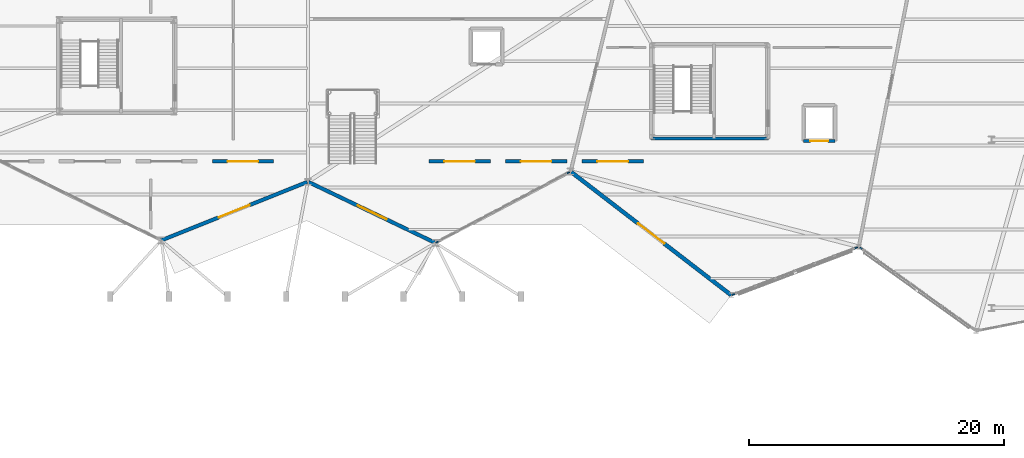
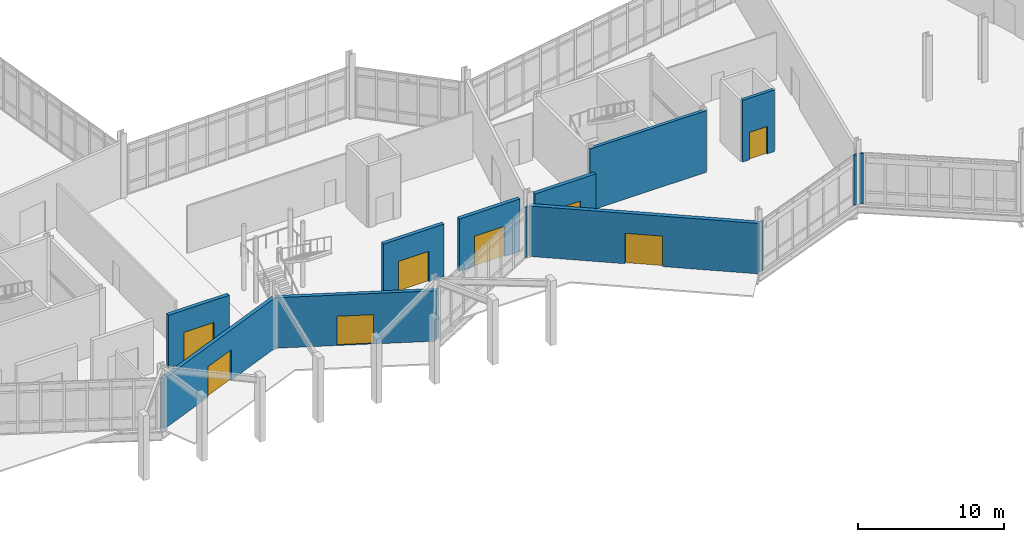
# One storey, part 89 of 113: 14 walls, 8 doors, 8 openings.
"""IFC4 building model written with IfcOpenShell, lengths in metres."""

from ifc_helpers import new_model, si_unit, direction, frame, frame_2d, origin, place, context, subcontext, project, spatial, rectangle, extrude, material, layer, layer_set, type_object, element, fill, save


model = new_model("IFC4")

# Units and contexts
model_context = context("Model", 3, precision=1e-05, world=origin(), true_north=direction((0.0, 1.0)))
body_context = subcontext(model_context, "Body", "Model", "MODEL_VIEW")
ifc_project = project(units=[si_unit("LENGTHUNIT", "METRE"), si_unit("AREAUNIT", "SQUARE_METRE"), si_unit("VOLUMEUNIT", "CUBIC_METRE"), si_unit("PLANEANGLEUNIT", "RADIAN"), si_unit("MASSUNIT", "GRAM", prefix="KILO")], contexts=[model_context])

# Site, building, storey
site_placement = place(None, origin())
site = spatial("IfcSite", under=ifc_project, at=site_placement, CompositionType="ELEMENT")
building_placement = place(site_placement, origin())
building = spatial("IfcBuilding", under=site, at=building_placement, Name="Tameran Prism Museum", CompositionType="ELEMENT")
storey_placement = place(building_placement, origin())
storey = spatial("IfcBuildingStorey", under=building, at=storey_placement, Name="L00", CompositionType="ELEMENT", Elevation=0.0)

# Walls
ifc_material_1 = material(Name="Precast Concrete N40 (40 MPa)", Category="concrete")
ifc_layer_1 = layer(ifc_material_1, 0.094970703125)
ifc_layer_set_1 = layer_set([ifc_layer_1])
wall_type_1 = type_object("IfcWallType", Name="EW-CLOS-095", PredefinedType="SOLIDWALL", material=ifc_layer_set_1)
wall_1_placement = place(storey_placement, frame((98.010009765625, 28.152099609375, 0.0), z_axis=(0.0, 0.0, 1.0), x_axis=(-0.885021600209, -0.465549962049, 0.0)))
element("IfcWall", 1, at=wall_1_placement, inside=storey, type_object=wall_type_1, Name="Facade Corner Closure EW-0093", PredefinedType="SOLIDWALL", context=body_context, shape_type="SweptSolid", body=[
    extrude(rectangle(XDim=0.307373046875, YDim=0.094970703125, at=frame_2d((0.15380859375, 0.0))), origin(), (0.0, 0.0, 1.0), 4.219970703125),
])
wall_2_placement = place(storey_placement, frame((87.80908203125, 22.762939453125, 0.0), z_axis=(0.0, 0.0, 1.0), x_axis=(-0.885348834604, -0.464927350308, 0.0)))
element("IfcWall", 2, at=wall_2_placement, inside=storey, type_object=wall_type_1, Name="Facade Corner Closure EW-0094", PredefinedType="SOLIDWALL", context=body_context, shape_type="SweptSolid", body=[
    extrude(rectangle(XDim=0.30712890625, YDim=0.094970703125, at=frame_2d((0.153564453125, 0.0))), origin(), (0.0, 0.0, 1.0), 4.219970703125),
])
wall_3_placement = place(storey_placement, frame((120.60498046875, 22.263916015625, 0.0), z_axis=(0.0, 0.0, 1.0), x_axis=(-0.935413842844, -0.353554723651, 0.0)))
element("IfcWall", 3, at=wall_3_placement, inside=storey, type_object=wall_type_1, Name="Facade Corner Closure EW-0105", PredefinedType="SOLIDWALL", context=body_context, shape_type="SweptSolid", body=[
    extrude(rectangle(XDim=0.307861328125, YDim=0.094970703125, at=frame_2d((0.15380859375, 0.0))), origin(), (0.0, 0.0, 1.0), 4.219970703125),
])
for number, where, z_axis, x_axis, name in (
    (4, (111.027099609375, 18.6240234375, 0.0), (0.0, 0.0, 1.0), (-0.935151489811, -0.354248064361, 0.0), "Facade Corner Closure EW-0106"),
    (5, (121.032958984375, 22.06103515625, 0.0), (0.0, 0.0, 1.0), (-0.811639565077, 0.584158554162, 0.0), "Facade Corner Closure EW-0111"),
):
    element("IfcWall", number, at=place(storey_placement, frame(where, z_axis=z_axis, x_axis=x_axis)), inside=storey, type_object=wall_type_1, Name=name, PredefinedType="SOLIDWALL", context=body_context, shape_type="SweptSolid", body=[
        extrude(rectangle(XDim=0.30810546875, YDim=0.094970703125, at=frame_2d((0.154052734375, 0.0))), origin(), (0.0, 0.0, 1.0), 4.219970703125),
    ])

# Wall, opening, door
ifc_material_2 = material(Name="Precast Concrete N40 (40 MPa)", Category="concrete")
ifc_layer_2 = layer(ifc_material_2, 0.2900390625)
ifc_layer_set_2 = layer_set([ifc_layer_2])
wall_type_2 = type_object("IfcWallType", Name="EW-FOY-290", PredefinedType="SOLIDWALL", material=ifc_layer_set_2)
wall_4_placement = place(storey_placement, frame((77.444091796875, 27.3779296875, 0.0), z_axis=(0.0, 0.0, 1.0), x_axis=(-0.928469860605, -0.371407751599, 0.0)))
wall_4 = element("IfcWall", 6, at=wall_4_placement, inside=storey, type_object=wall_type_2, Name="Exterior Fluted Precast Wall EW-0089", PredefinedType="SOLIDWALL", context=body_context, shape_type="SweptSolid", body=[
    extrude(rectangle(XDim=12.32568359375, YDim=0.2900390625, at=frame_2d((6.162841796875, 0.0))), origin(), (0.0, 0.0, 1.0), 4.219970703125),
])
opening_1_placement = place(wall_4_placement, frame((4.863037109375, 0.0, 0.0)))
opening_1 = element("IfcOpeningElement", 7, at=opening_1_placement, cuts=wall_4, Name="Opening ED-05", PredefinedType="OPENING", context=body_context, shape_type="SweptSolid", body=[
    extrude(rectangle(XDim=2.60009765625, YDim=2.550048828125, at=frame_2d((1.300048828125, 1.27490234375))), frame((0.0, 0.155029296875, 0.0), z_axis=(0.0, -1.0, 0.0), x_axis=(1.0, 0.0, 0.0)), (0.0, 0.0, 1.0), 0.31005859375),
])
ifc_material_3 = material(Name="Cyclone-Rated Anodised Aluminium 6063-T6 and Laminated Glass", Category="aluminium")
door_type_1 = type_object("IfcDoorType", Name="DR-EXT-240", OperationType="DOUBLE_DOOR_SINGLE_SWING", PredefinedType="DOOR", material=ifc_material_3)
door_1_placement = place(opening_1_placement, origin())
door_1 = element("IfcDoor", 8, at=door_1_placement, inside=storey, type_object=door_type_1, Name="Final Exit Double Door ED-05", OperationType="DOUBLE_DOOR_SINGLE_SWING", OverallHeight=2.550048828125, OverallWidth=2.60009765625, PredefinedType="DOOR", context=body_context, shape_type="SweptSolid", body=[
    extrude(rectangle(XDim=2.60009765625, YDim=2.550048828125, at=frame_2d((1.300048828125, 1.27490234375))), frame((0.0, 0.02490234375, 0.0), z_axis=(0.0, -1.0, 0.0), x_axis=(1.0, 0.0, 0.0)), (0.0, 0.0, 1.0), 0.050048828125),
])
fill(opening_1, door_1)

wall_5_placement = place(storey_placement, frame((87.5, 22.60009765625, 0.0), z_axis=(0.0, 0.0, 1.0), x_axis=(-0.901529273173, 0.432718117961, 0.0)))
wall_5 = element("IfcWall", 9, at=wall_5_placement, inside=storey, type_object=wall_type_2, Name="Exterior Fluted Precast Wall EW-0092", PredefinedType="SOLIDWALL", context=body_context, shape_type="SweptSolid", body=[
    extrude(rectangle(XDim=11.032470703125, YDim=0.2900390625, at=frame_2d((5.51611328125, 0.0))), origin(), (0.0, 0.0, 1.0), 4.219970703125),
])
opening_2_placement = place(wall_5_placement, frame((4.26611328125, 0.0, 0.0)))
opening_2 = element("IfcOpeningElement", 10, at=opening_2_placement, cuts=wall_5, Name="Opening ED-06", PredefinedType="OPENING", context=body_context, shape_type="SweptSolid", body=[
    extrude(rectangle(XDim=2.5, YDim=2.449951171875, at=frame_2d((1.25, 1.22509765625))), frame((0.0, 0.155029296875, 0.0), z_axis=(0.0, -1.0, 0.0), x_axis=(1.0, 0.0, 0.0)), (0.0, 0.0, 1.0), 0.31005859375),
])
ifc_material_4 = material(Name="Cyclone-Rated Anodised Aluminium 6063-T6 and Laminated Glass", Category="aluminium")
door_type_2 = type_object("IfcDoorType", Name="DR-EXT-220", OperationType="DOUBLE_DOOR_SINGLE_SWING", PredefinedType="DOOR", material=ifc_material_4)
door_2_placement = place(opening_2_placement, origin())
door_2 = element("IfcDoor", 11, at=door_2_placement, inside=storey, type_object=door_type_2, Name="Final Exit Double Door ED-06", OperationType="DOUBLE_DOOR_SINGLE_SWING", OverallHeight=2.449951171875, OverallWidth=2.5, PredefinedType="DOOR", context=body_context, shape_type="SweptSolid", body=[
    extrude(rectangle(XDim=2.5, YDim=2.449951171875, at=frame_2d((1.25, 1.22509765625))), frame((0.0, 0.02490234375, 0.0), z_axis=(0.0, -1.0, 0.0), x_axis=(1.0, 0.0, 0.0)), (0.0, 0.0, 1.0), 0.050048828125),
])
fill(opening_2, door_2)

wall_6_placement = place(storey_placement, frame((74.800048828125, 29.0, 0.0), z_axis=(0.0, 0.0, 1.0), x_axis=(-1.0, 0.0, 0.0)))
wall_6 = element("IfcWall", 12, at=wall_6_placement, inside=storey, type_object=wall_type_2, Name="Entrance Portal Wall EW-0475", PredefinedType="SOLIDWALL", context=body_context, shape_type="SweptSolid", body=[
    extrude(rectangle(XDim=4.800048828125, YDim=0.2900390625, at=frame_2d((2.39990234375, 0.0))), origin(), (0.0, 0.0, 1.0), 4.39990234375),
])
opening_3_placement = place(wall_6_placement, frame((1.199951171875, 0.0, 0.0)))
opening_3 = element("IfcOpeningElement", 13, at=opening_3_placement, cuts=wall_6, Name="Opening ED-28", PredefinedType="OPENING", context=body_context, shape_type="SweptSolid", body=[
    extrude(rectangle(XDim=2.39990234375, YDim=2.550048828125, at=frame_2d((1.199951171875, 1.27490234375))), frame((0.0, 0.155029296875, 0.0), z_axis=(0.0, -1.0, 0.0), x_axis=(1.0, 0.0, 0.0)), (0.0, 0.0, 1.0), 0.31005859375),
])
door_3_placement = place(opening_3_placement, origin())
door_3 = element("IfcDoor", 14, at=door_3_placement, inside=storey, type_object=door_type_1, Name="Final Exit Double Door ED-28", OperationType="DOUBLE_DOOR_SINGLE_SWING", OverallHeight=2.550048828125, OverallWidth=2.39990234375, PredefinedType="DOOR", context=body_context, shape_type="SweptSolid", body=[
    extrude(rectangle(XDim=2.39990234375, YDim=2.550048828125, at=frame_2d((1.199951171875, 1.27490234375))), frame((0.0, 0.02490234375, 0.0), z_axis=(0.0, -1.0, 0.0), x_axis=(1.0, 0.0, 0.0)), (0.0, 0.0, 1.0), 0.050048828125),
])
fill(opening_3, door_3)

wall_7_placement = place(storey_placement, frame((91.800048828125, 29.0, 0.0), z_axis=(0.0, 0.0, 1.0), x_axis=(-1.0, 0.0, 0.0)))
wall_7 = element("IfcWall", 15, at=wall_7_placement, inside=storey, type_object=wall_type_2, Name="Entrance Portal Wall EW-0476", PredefinedType="SOLIDWALL", context=body_context, shape_type="SweptSolid", body=[
    extrude(rectangle(XDim=4.800048828125, YDim=0.2900390625, at=frame_2d((2.39990234375, 0.0))), origin(), (0.0, 0.0, 1.0), 4.39990234375),
])
opening_4_placement = place(wall_7_placement, frame((1.199951171875, 0.0, 0.0)))
opening_4 = element("IfcOpeningElement", 16, at=opening_4_placement, cuts=wall_7, Name="Opening ED-29", PredefinedType="OPENING", context=body_context, shape_type="SweptSolid", body=[
    extrude(rectangle(XDim=2.39990234375, YDim=2.550048828125, at=frame_2d((1.199951171875, 1.27490234375))), frame((0.0, 0.155029296875, 0.0), z_axis=(0.0, -1.0, 0.0), x_axis=(1.0, 0.0, 0.0)), (0.0, 0.0, 1.0), 0.31005859375),
])
door_4_placement = place(opening_4_placement, origin())
door_4 = element("IfcDoor", 17, at=door_4_placement, inside=storey, type_object=door_type_1, Name="Final Exit Double Door ED-29", OperationType="DOUBLE_DOOR_SINGLE_SWING", OverallHeight=2.550048828125, OverallWidth=2.39990234375, PredefinedType="DOOR", context=body_context, shape_type="SweptSolid", body=[
    extrude(rectangle(XDim=2.39990234375, YDim=2.550048828125, at=frame_2d((1.199951171875, 1.27490234375))), frame((0.0, 0.02490234375, 0.0), z_axis=(0.0, -1.0, 0.0), x_axis=(1.0, 0.0, 0.0)), (0.0, 0.0, 1.0), 0.050048828125),
])
fill(opening_4, door_4)

wall_8_placement = place(storey_placement, frame((97.800048828125, 29.0, 0.0), z_axis=(0.0, 0.0, 1.0), x_axis=(-1.0, 0.0, 0.0)))
wall_8 = element("IfcWall", 18, at=wall_8_placement, inside=storey, type_object=wall_type_2, Name="Entrance Portal Wall EW-0477", PredefinedType="SOLIDWALL", context=body_context, shape_type="SweptSolid", body=[
    extrude(rectangle(XDim=4.800048828125, YDim=0.2900390625, at=frame_2d((2.39990234375, 0.0))), origin(), (0.0, 0.0, 1.0), 4.39990234375),
])
opening_5_placement = place(wall_8_placement, frame((1.199951171875, 0.0, 0.0)))
opening_5 = element("IfcOpeningElement", 19, at=opening_5_placement, cuts=wall_8, Name="Opening ED-30", PredefinedType="OPENING", context=body_context, shape_type="SweptSolid", body=[
    extrude(rectangle(XDim=2.39990234375, YDim=2.550048828125, at=frame_2d((1.199951171875, 1.27490234375))), frame((0.0, 0.155029296875, 0.0), z_axis=(0.0, -1.0, 0.0), x_axis=(1.0, 0.0, 0.0)), (0.0, 0.0, 1.0), 0.31005859375),
])
door_5_placement = place(opening_5_placement, origin())
door_5 = element("IfcDoor", 20, at=door_5_placement, inside=storey, type_object=door_type_1, Name="Final Exit Double Door ED-30", OperationType="DOUBLE_DOOR_SINGLE_SWING", OverallHeight=2.550048828125, OverallWidth=2.39990234375, PredefinedType="DOOR", context=body_context, shape_type="SweptSolid", body=[
    extrude(rectangle(XDim=2.39990234375, YDim=2.550048828125, at=frame_2d((1.199951171875, 1.27490234375))), frame((0.0, 0.02490234375, 0.0), z_axis=(0.0, -1.0, 0.0), x_axis=(1.0, 0.0, 0.0)), (0.0, 0.0, 1.0), 0.050048828125),
])
fill(opening_5, door_5)

wall_9_placement = place(storey_placement, frame((103.800048828125, 29.0, 0.0), z_axis=(0.0, 0.0, 1.0), x_axis=(-1.0, 0.0, 0.0)))
wall_9 = element("IfcWall", 21, at=wall_9_placement, inside=storey, type_object=wall_type_2, Name="Entrance Portal Wall EW-0478", PredefinedType="SOLIDWALL", context=body_context, shape_type="SweptSolid", body=[
    extrude(rectangle(XDim=4.800048828125, YDim=0.2900390625, at=frame_2d((2.39990234375, 0.0))), origin(), (0.0, 0.0, 1.0), 4.39990234375),
])
opening_6_placement = place(wall_9_placement, frame((1.199951171875, 0.0, 0.0)))
opening_6 = element("IfcOpeningElement", 22, at=opening_6_placement, cuts=wall_9, Name="Opening ED-31", PredefinedType="OPENING", context=body_context, shape_type="SweptSolid", body=[
    extrude(rectangle(XDim=2.39990234375, YDim=2.550048828125, at=frame_2d((1.199951171875, 1.27490234375))), frame((0.0, 0.155029296875, 0.0), z_axis=(0.0, -1.0, 0.0), x_axis=(1.0, 0.0, 0.0)), (0.0, 0.0, 1.0), 0.31005859375),
])
door_6_placement = place(opening_6_placement, origin())
door_6 = element("IfcDoor", 23, at=door_6_placement, inside=storey, type_object=door_type_1, Name="Final Exit Double Door ED-31", OperationType="DOUBLE_DOOR_SINGLE_SWING", OverallHeight=2.550048828125, OverallWidth=2.39990234375, PredefinedType="DOOR", context=body_context, shape_type="SweptSolid", body=[
    extrude(rectangle(XDim=2.39990234375, YDim=2.550048828125, at=frame_2d((1.199951171875, 1.27490234375))), frame((0.0, 0.02490234375, 0.0), z_axis=(0.0, -1.0, 0.0), x_axis=(1.0, 0.0, 0.0)), (0.0, 0.0, 1.0), 0.050048828125),
])
fill(opening_6, door_6)

ifc_material_5 = material(Name="Precast Concrete N40 (40 MPa)", Category="concrete")
ifc_layer_3 = layer(ifc_material_5, 0.31494140625)
ifc_layer_set_3 = layer_set([ifc_layer_3])
wall_type_3 = type_object("IfcWallType", Name="EW-GAL-315", PredefinedType="SOLIDWALL", material=ifc_layer_set_3)
wall_10_placement = place(storey_placement, frame((110.699951171875, 18.5, 0.0), z_axis=(0.0, 0.0, 1.0), x_axis=(-0.792411961764, 0.609986297267, 0.0)))
wall_10 = element("IfcWall", 24, at=wall_10_placement, inside=storey, type_object=wall_type_3, Name="Exterior Fluted Precast Wall EW-0104", PredefinedType="SOLIDWALL", context=body_context, shape_type="SweptSolid", body=[
    extrude(rectangle(XDim=15.841552734375, YDim=0.31494140625, at=frame_2d((7.9208984375, 0.0))), origin(), (0.0, 0.0, 1.0), 4.219970703125),
])
opening_7_placement = place(wall_10_placement, frame((6.6201171875, 0.0, 0.0)))
opening_7 = element("IfcOpeningElement", 25, at=opening_7_placement, cuts=wall_10, Name="Opening ED-08", PredefinedType="OPENING", context=body_context, shape_type="SweptSolid", body=[
    extrude(rectangle(XDim=2.60009765625, YDim=2.550048828125, at=frame_2d((1.300048828125, 1.27490234375))), frame((0.0, 0.16748046875, 0.0), z_axis=(0.0, -1.0, 0.0), x_axis=(1.0, 0.0, 0.0)), (0.0, 0.0, 1.0), 0.3349609375),
])
door_7_placement = place(opening_7_placement, origin())
door_7 = element("IfcDoor", 26, at=door_7_placement, inside=storey, type_object=door_type_1, Name="Final Exit Double Door ED-08", OperationType="DOUBLE_DOOR_SINGLE_SWING", OverallHeight=2.550048828125, OverallWidth=2.60009765625, PredefinedType="DOOR", context=body_context, shape_type="SweptSolid", body=[
    extrude(rectangle(XDim=2.60009765625, YDim=2.550048828125, at=frame_2d((1.300048828125, 1.27490234375))), frame((0.0, 0.02490234375, 0.0), z_axis=(0.0, -1.0, 0.0), x_axis=(1.0, 0.0, 0.0)), (0.0, 0.0, 1.0), 0.050048828125),
])
fill(opening_7, door_7)

# Wall
ifc_material_6 = material(Name="Concrete N40 (40 MPa)", Category="concrete")
ifc_layer_4 = layer(ifc_material_6, 0.25)
ifc_layer_set_4 = layer_set([ifc_layer_4])
wall_type_4 = type_object("IfcWallType", Name="IW-COR-250", PredefinedType="SHEAR", material=ifc_layer_set_4)
wall_11_placement = place(storey_placement, frame((113.60009765625, 30.800048828125, 0.0), z_axis=(0.0, 0.0, 1.0), x_axis=(-1.0, 0.0, 0.0)))
element("IfcWall", 27, at=wall_11_placement, inside=storey, type_object=wall_type_4, Name="Core Shear Wall CW-4-L00-S", PredefinedType="SHEAR", context=body_context, shape_type="SweptSolid", body=[
    extrude(rectangle(XDim=9.2001953125, YDim=0.25, at=frame_2d((4.60009765625, 0.0))), origin(), (0.0, 0.0, 1.0), 5.159912109375),
])

# Wall, opening, door
ifc_material_7 = material(Name="Concrete N40 (40 MPa)", Category="concrete")
ifc_layer_5 = layer(ifc_material_7, 0.239990234375)
ifc_layer_set_5 = layer_set([ifc_layer_5])
wall_type_5 = type_object("IfcWallType", Name="IW-LFT-240", PredefinedType="SHEAR", material=ifc_layer_set_5)
wall_12_placement = place(storey_placement, frame((118.85009765625, 30.60009765625, 0.0), z_axis=(0.0, 0.0, 1.0), x_axis=(-1.0, 0.0, 0.0)))
wall_12 = element("IfcWall", 28, at=wall_12_placement, inside=storey, type_object=wall_type_5, Name="Lift Shaft Wall LW-PL03-L00S", PredefinedType="SHEAR", context=body_context, shape_type="SweptSolid", body=[
    extrude(rectangle(XDim=2.5, YDim=0.239990234375, at=frame_2d((1.25, 0.0))), origin(), (0.0, 0.0, 1.0), 5.159912109375),
])
opening_8_placement = place(wall_12_placement, frame((0.550048828125, 0.0, 0.0)))
opening_8 = element("IfcOpeningElement", 29, at=opening_8_placement, cuts=wall_12, Name="Opening LD-PL03-L00", PredefinedType="OPENING", context=body_context, shape_type="SweptSolid", body=[
    extrude(rectangle(XDim=1.39990234375, YDim=2.300048828125, at=frame_2d((0.699951171875, 1.14990234375))), frame((0.0, 0.1298828125, 0.0), z_axis=(0.0, -1.0, 0.0), x_axis=(1.0, 0.0, 0.0)), (0.0, 0.0, 1.0), 0.260009765625),
])
ifc_material_8 = material(Name="Fire-Rated Steel Door Leaf and Frame", Category="steel")
door_type_3 = type_object("IfcDoorType", Name="DR-LD-PL2", OperationType="SLIDING_TO_LEFT", PredefinedType="DOOR", material=ifc_material_8)
door_8_placement = place(opening_8_placement, origin())
door_8 = element("IfcDoor", 30, at=door_8_placement, inside=storey, type_object=door_type_3, Name="Passenger Lift PL-03 Landing Door L00", OperationType="SLIDING_TO_LEFT", OverallHeight=2.300048828125, OverallWidth=1.39990234375, PredefinedType="DOOR", context=body_context, shape_type="SweptSolid", body=[
    extrude(rectangle(XDim=1.39990234375, YDim=2.300048828125, at=frame_2d((0.699951171875, 1.14990234375))), frame((0.0, 0.02490234375, 0.0), z_axis=(0.0, -1.0, 0.0), x_axis=(1.0, 0.0, 0.0)), (0.0, 0.0, 1.0), 0.050048828125),
])
fill(opening_8, door_8)

save(model, "model.ifc")
